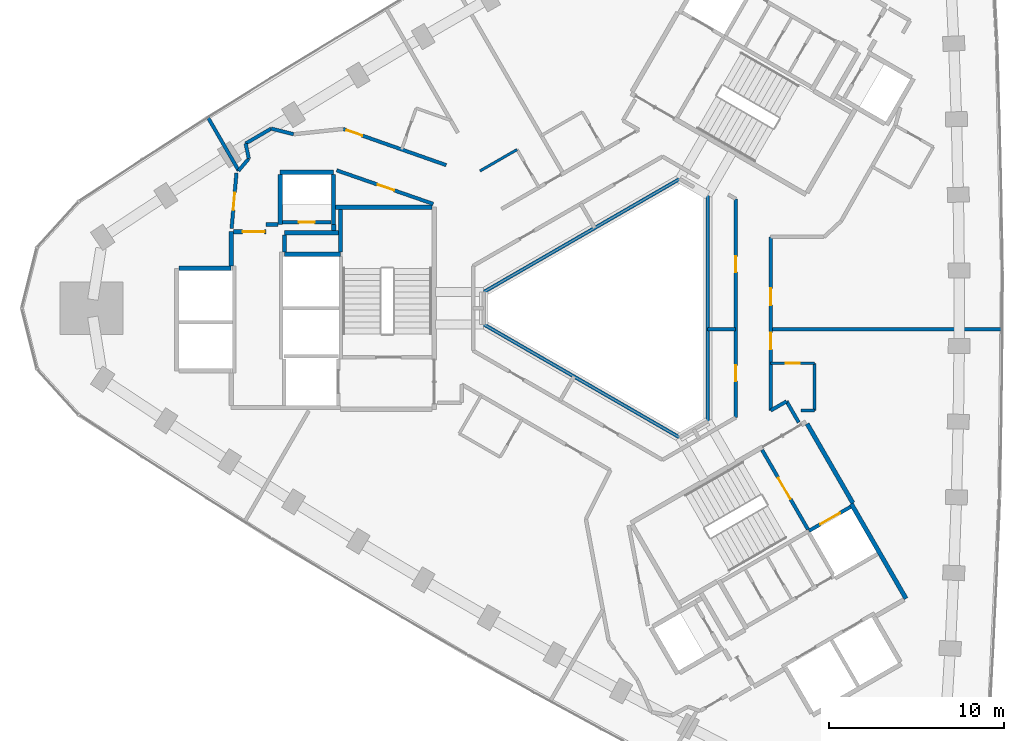
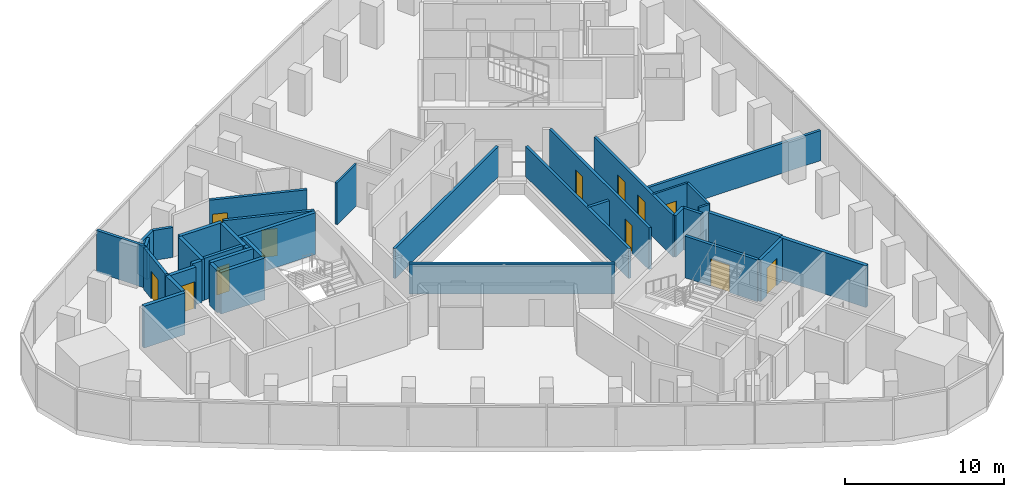
# One storey, part 9 of 12: 39 walls, 12 doors, 12 openings.
"""IFC4 building model written with IfcOpenShell, lengths in metres."""

from ifc_helpers import new_model, si_unit, direction, frame, frame_2d, origin, place, context, subcontext, project, spatial, rectangle, extrude, material, layer, layer_set, type_object, element, fill, save


model = new_model("IFC4")

# Units and contexts
model_context = context("Model", 3, precision=1e-05, world=origin(), true_north=direction((0.0, 1.0)))
body_context = subcontext(model_context, "Body", "Model", "MODEL_VIEW")
ifc_project = project(units=[si_unit("LENGTHUNIT", "METRE"), si_unit("AREAUNIT", "SQUARE_METRE"), si_unit("VOLUMEUNIT", "CUBIC_METRE"), si_unit("PLANEANGLEUNIT", "RADIAN"), si_unit("MASSUNIT", "GRAM", prefix="KILO")], contexts=[model_context])

# Site, building, storey
site_placement = place(None, origin())
site = spatial("IfcSite", under=ifc_project, at=site_placement, CompositionType="ELEMENT")
building_placement = place(site_placement, origin())
building = spatial("IfcBuilding", under=site, at=building_placement, Name="Tamra Quay Hotel Tower", CompositionType="ELEMENT")
storey_placement = place(building_placement, frame((0.0, 0.0, 154.0)))
storey = spatial("IfcBuildingStorey", under=building, at=storey_placement, Name="L38", CompositionType="ELEMENT", Elevation=154.0)

# Wall, opening, door
ifc_material_1 = material(Name="Concrete M70", Category="concrete")
ifc_layer_1 = layer(ifc_material_1, 0.199951171875)
ifc_layer_set_1 = layer_set([ifc_layer_1], Name="Concrete M70 core wall 200")
wall_type_1 = type_object("IfcWallType", Name="Concrete M70 core wall 200", PredefinedType="SHEAR", material=ifc_layer_set_1)
wall_1_placement = place(storey_placement, frame((-19.51123046875, 4.91015625, 0.0), z_axis=(0.0, 0.0, 1.0), x_axis=(1.0, 0.0, 0.0)))
wall_1 = element("IfcWall", 1, at=wall_1_placement, inside=storey, type_object=wall_type_1, Name="CW2", PredefinedType="SHEAR", context=body_context, shape_type="SweptSolid", body=[
    extrude(rectangle(XDim=2.7978515625, YDim=0.199951171875, at=frame_2d((1.39892578125, 0.0))), origin(), (0.0, 0.0, 1.0), 3.199951171875),
])
opening_1_placement = place(wall_1_placement, frame((0.948974609375, 0.0, 0.0)))
opening_1 = element("IfcOpeningElement", 2, at=opening_1_placement, cuts=wall_1, Name="Opening D1", PredefinedType="OPENING", context=body_context, shape_type="SweptSolid", body=[
    extrude(rectangle(XDim=0.89990234375, YDim=2.10009765625, at=frame_2d((0.449951171875, 1.050048828125))), frame((0.0, 0.10986328125, 0.0), z_axis=(0.0, -1.0, 0.0), x_axis=(1.0, 0.0, 0.0)), (0.0, 0.0, 1.0), 0.219970703125),
])
ifc_material_2 = material(Name="Core door D1 900x2100 LH")
door_type_1 = type_object("IfcDoorType", Name="Core door D1 900x2100 LH", OperationType="NOTDEFINED", PredefinedType="DOOR", material=ifc_material_2)
door_1_placement = place(opening_1_placement, origin())
door_1 = element("IfcDoor", 3, at=door_1_placement, inside=storey, type_object=door_type_1, Name="D1", OperationType="SINGLE_SWING_LEFT", OverallHeight=2.10009765625, OverallWidth=0.89990234375, PredefinedType="DOOR", context=body_context, shape_type="SweptSolid", body=[
    extrude(rectangle(XDim=0.89990234375, YDim=2.10009765625, at=frame_2d((0.449951171875, 1.050048828125))), frame((0.0, 0.02490234375, 0.0), z_axis=(0.0, -1.0, 0.0), x_axis=(1.0, 0.0, 0.0)), (0.0, 0.0, 1.0), 0.050048828125),
])
fill(opening_1, door_1)

wall_2_placement = place(storey_placement, frame((7.906494140625, -8.094482421875, 0.0), z_axis=(0.0, 0.0, 1.0), x_axis=(0.500024287448, -0.866011380966, 0.0)))
wall_2 = element("IfcWall", 4, at=wall_2_placement, inside=storey, type_object=wall_type_1, Name="CW2", PredefinedType="SHEAR", context=body_context, shape_type="SweptSolid", body=[
    extrude(rectangle(XDim=5.251220703125, YDim=0.199951171875, at=frame_2d((2.62548828125, 0.0))), origin(), (0.0, 0.0, 1.0), 3.199951171875),
])
opening_2_placement = place(wall_2_placement, frame((1.84912109375, 0.0, 0.0)))
opening_2 = element("IfcOpeningElement", 5, at=opening_2_placement, cuts=wall_2, Name="Opening FD2", PredefinedType="OPENING", context=body_context, shape_type="SweptSolid", body=[
    extrude(rectangle(XDim=1.39990234375, YDim=2.10009765625, at=frame_2d((0.699951171875, 1.050048828125))), frame((0.0, 0.10986328125, 0.0), z_axis=(0.0, -1.0, 0.0), x_axis=(1.0, 0.0, 0.0)), (0.0, 0.0, 1.0), 0.219970703125),
])
ifc_material_3 = material(Name="Core door FD2 1400x2100 LH")
door_type_2 = type_object("IfcDoorType", Name="Core door FD2 1400x2100 LH", OperationType="NOTDEFINED", PredefinedType="DOOR", material=ifc_material_3)
door_2_placement = place(opening_2_placement, origin())
door_2 = element("IfcDoor", 6, at=door_2_placement, inside=storey, type_object=door_type_2, Name="FD2", OperationType="SINGLE_SWING_LEFT", OverallHeight=2.10009765625, OverallWidth=1.39990234375, PredefinedType="DOOR", context=body_context, shape_type="SweptSolid", body=[
    extrude(rectangle(XDim=1.39990234375, YDim=2.10009765625, at=frame_2d((0.699951171875, 1.050048828125))), frame((0.0, 0.02490234375, 0.0), z_axis=(0.0, -1.0, 0.0), x_axis=(1.0, 0.0, 0.0)), (0.0, 0.0, 1.0), 0.050048828125),
])
fill(opening_2, door_2)

wall_3_placement = place(storey_placement, frame((10.587158203125, -12.72314453125, 0.0), z_axis=(0.0, 0.0, 1.0), x_axis=(0.866037306777, 0.499979382845, 0.0)))
wall_3 = element("IfcWall", 7, at=wall_3_placement, inside=storey, type_object=wall_type_1, Name="CW2", PredefinedType="SHEAR", context=body_context, shape_type="SweptSolid", body=[
    extrude(rectangle(XDim=2.74169921875, YDim=0.199951171875, at=frame_2d((1.370849609375, 0.0))), origin(), (0.0, 0.0, 1.0), 3.199951171875),
])
opening_3_placement = place(wall_3_placement, frame((0.742919921875, 0.0, 0.0)))
opening_3 = element("IfcOpeningElement", 8, at=opening_3_placement, cuts=wall_3, Name="Opening LD", PredefinedType="OPENING", context=body_context, shape_type="SweptSolid", body=[
    extrude(rectangle(XDim=1.300048828125, YDim=2.10009765625, at=frame_2d((0.64990234375, 1.050048828125))), frame((0.0, 0.10986328125, 0.0), z_axis=(0.0, -1.0, 0.0), x_axis=(1.0, 0.0, 0.0)), (0.0, 0.0, 1.0), 0.219970703125),
])
ifc_material_4 = material(Name="Landing door LD 1300 sliding to left")
door_type_3 = type_object("IfcDoorType", Name="Landing door LD 1300 sliding to left", OperationType="NOTDEFINED", PredefinedType="DOOR", material=ifc_material_4)
door_3_placement = place(opening_3_placement, origin())
door_3 = element("IfcDoor", 9, at=door_3_placement, inside=storey, type_object=door_type_3, Name="LD", OperationType="SLIDING_TO_LEFT", OverallHeight=2.10009765625, OverallWidth=1.300048828125, PredefinedType="DOOR", context=body_context, shape_type="SweptSolid", body=[
    extrude(rectangle(XDim=1.300048828125, YDim=2.10009765625, at=frame_2d((0.64990234375, 1.050048828125))), frame((0.0, 0.02490234375, 0.0), z_axis=(0.0, -1.0, 0.0), x_axis=(1.0, 0.0, 0.0)), (0.0, 0.0, 1.0), 0.050048828125),
])
fill(opening_3, door_3)

# Walls
ifc_layer_2 = layer(ifc_material_1, 0.25)
ifc_layer_set_2 = layer_set([ifc_layer_2], Name="Concrete M70 core wall 250")
wall_type_2 = type_object("IfcWallType", Name="Concrete M70 core wall 250", PredefinedType="SHEAR", material=ifc_layer_set_2)
wall_4_placement = place(storey_placement, frame((-16.47216796875, 5.77490234375, 0.0), z_axis=(0.0, 0.0, 1.0), x_axis=(1.0, 0.0, 0.0)))
element("IfcWall", 10, at=wall_4_placement, inside=storey, type_object=wall_type_2, Name="CW1", PredefinedType="SHEAR", context=body_context, shape_type="SweptSolid", body=[
    extrude(rectangle(XDim=5.509521484375, YDim=0.25, at=frame_2d((2.7548828125, 0.0))), origin(), (0.0, 0.0, 1.0), 3.199951171875),
])
wall_5_placement = place(storey_placement, frame((-19.38720703125, 3.074951171875, 0.0), z_axis=(0.0, 0.0, 1.0), x_axis=(1.0, 0.0, 0.0)))
element("IfcWall", 11, at=wall_5_placement, inside=storey, type_object=wall_type_2, Name="CW1", PredefinedType="SHEAR", context=body_context, shape_type="SweptSolid", body=[
    extrude(rectangle(XDim=3.199951171875, YDim=0.25, at=frame_2d((1.60009765625, 0.0))), origin(), (0.0, 0.0, 1.0), 3.199951171875),
])
wall_6_placement = place(storey_placement, frame((-25.411865234375, 2.27490234375, 0.0), z_axis=(0.0, 0.0, 1.0), x_axis=(1.0, 0.0, 0.0)))
element("IfcWall", 12, at=wall_6_placement, inside=storey, type_object=wall_type_2, Name="CW1", PredefinedType="SHEAR", context=body_context, shape_type="SweptSolid", body=[
    extrude(rectangle(XDim=2.974609375, YDim=0.25, at=frame_2d((1.4873046875, 0.0))), origin(), (0.0, 0.0, 1.0), 3.199951171875),
])
wall_7_placement = place(storey_placement, frame((-19.63720703125, 7.77490234375, 0.0), z_axis=(0.0, 0.0, 1.0), x_axis=(1.0, 0.0, 0.0)))
element("IfcWall", 13, at=wall_7_placement, inside=storey, type_object=wall_type_2, Name="CW1", PredefinedType="SHEAR", context=body_context, shape_type="SweptSolid", body=[
    extrude(rectangle(XDim=3.0498046875, YDim=0.25, at=frame_2d((1.52490234375, 0.0))), origin(), (0.0, 0.0, 1.0), 3.199951171875),
])
for number, where, z_axis, x_axis, name in (
    (14, (-16.58740234375, 7.649658203125, 0.0), (0.0, 0.0, 1.0), (0.0, -1.0, 0.0), "CW1"),
    (15, (-19.63720703125, 4.784912109375, 0.0), (0.0, 0.0, 1.0), (0.0, 1.0, 0.0), "CW1"),
):
    element("IfcWall", number, at=place(storey_placement, frame(where, z_axis=z_axis, x_axis=x_axis)), inside=storey, type_object=wall_type_2, Name=name, PredefinedType="SHEAR", context=body_context, shape_type="SweptSolid", body=[
        extrude(rectangle(XDim=2.86474609375, YDim=0.25, at=frame_2d((1.432373046875, 0.0))), origin(), (0.0, 0.0, 1.0), 3.199951171875),
    ])
wall_8_placement = place(storey_placement, frame((-16.30224609375, 4.31494140625, 0.0), z_axis=(0.0, 0.0, 1.0), x_axis=(-1.0, 0.0, 0.0)))
element("IfcWall", 16, at=wall_8_placement, inside=storey, type_object=wall_type_2, Name="CW1", PredefinedType="SHEAR", context=body_context, shape_type="SweptSolid", body=[
    extrude(rectangle(XDim=3.0849609375, YDim=0.25, at=frame_2d((1.54248046875, 0.0))), origin(), (0.0, 0.0, 1.0), 3.199951171875),
])
wall_9_placement = place(storey_placement, frame((-16.187255859375, 3.200439453125, 0.0), z_axis=(0.0, 0.0, 1.0), x_axis=(0.0, 1.0, 0.0)))
element("IfcWall", 17, at=wall_9_placement, inside=storey, type_object=wall_type_2, Name="CW1", PredefinedType="SHEAR", context=body_context, shape_type="SweptSolid", body=[
    extrude(rectangle(XDim=2.44921875, YDim=0.25, at=frame_2d((1.224609375, 0.0))), origin(), (0.0, 0.0, 1.0), 3.199951171875),
])
wall_10_placement = place(storey_placement, frame((-22.437255859375, 2.400390625, 0.0), z_axis=(0.0, 0.0, 1.0), x_axis=(0.0, 1.0, 0.0)))
element("IfcWall", 18, at=wall_10_placement, inside=storey, type_object=wall_type_2, Name="CW1", PredefinedType="SHEAR", context=body_context, shape_type="SweptSolid", body=[
    extrude(rectangle(XDim=1.974609375, YDim=0.25, at=frame_2d((0.9873046875, 0.0))), origin(), (0.0, 0.0, 1.0), 3.199951171875),
])

# Wall, opening, door
wall_11_placement = place(storey_placement, frame((-22.311767578125, 4.375, 0.0), z_axis=(0.0, 0.0, 1.0), x_axis=(1.0, 0.0, 0.0)))
wall_11 = element("IfcWall", 19, at=wall_11_placement, inside=storey, type_object=wall_type_2, Name="CW1", PredefinedType="SHEAR", context=body_context, shape_type="SweptSolid", body=[
    extrude(rectangle(XDim=1.864501953125, YDim=0.25, at=frame_2d((0.93212890625, 0.0))), origin(), (0.0, 0.0, 1.0), 3.199951171875),
])
opening_4_placement = place(wall_11_placement, frame((0.53466796875, 0.0, 0.0)))
opening_4 = element("IfcOpeningElement", 20, at=opening_4_placement, cuts=wall_11, Name="Opening FD3", PredefinedType="OPENING", context=body_context, shape_type="SweptSolid", body=[
    extrude(rectangle(XDim=1.25, YDim=2.10009765625, at=frame_2d((0.625, 1.050048828125))), frame((0.0, 0.135009765625, 0.0), z_axis=(0.0, -1.0, 0.0), x_axis=(1.0, 0.0, 0.0)), (0.0, 0.0, 1.0), 0.27001953125),
])
ifc_material_5 = material(Name="Core door FD3 1250x2100 LH")
door_type_4 = type_object("IfcDoorType", Name="Core door FD3 1250x2100 LH", OperationType="NOTDEFINED", PredefinedType="DOOR", material=ifc_material_5)
door_4_placement = place(opening_4_placement, origin())
door_4 = element("IfcDoor", 21, at=door_4_placement, inside=storey, type_object=door_type_4, Name="FD3", OperationType="SINGLE_SWING_LEFT", OverallHeight=2.10009765625, OverallWidth=1.25, PredefinedType="DOOR", context=body_context, shape_type="SweptSolid", body=[
    extrude(rectangle(XDim=1.25, YDim=2.10009765625, at=frame_2d((0.625, 1.050048828125))), frame((0.0, 0.02490234375, 0.0), z_axis=(0.0, -1.0, 0.0), x_axis=(1.0, 0.0, 0.0)), (0.0, 0.0, 1.0), 0.050048828125),
])
fill(opening_4, door_4)

# Walls
wall_12_placement = place(storey_placement, frame((-19.38720703125, 4.189697265625, 0.0), z_axis=(0.0, 0.0, 1.0), x_axis=(0.0, -1.0, 0.0)))
element("IfcWall", 22, at=wall_12_placement, inside=storey, type_object=wall_type_2, Name="CW1", PredefinedType="SHEAR", context=body_context, shape_type="SweptSolid", body=[
    extrude(rectangle(XDim=0.9892578125, YDim=0.25, at=frame_2d((0.49462890625, 0.0))), origin(), (0.0, 0.0, 1.0), 3.199951171875),
])
wall_13_placement = place(storey_placement, frame((-20.447265625, 4.784912109375, 0.0), z_axis=(0.0, 0.0, 1.0), x_axis=(1.0, 0.0, 0.0)))
element("IfcWall", 23, at=wall_13_placement, inside=storey, type_object=wall_type_2, Name="CW1", PredefinedType="SHEAR", context=body_context, shape_type="SweptSolid", body=[
    extrude(rectangle(XDim=0.6845703125, YDim=0.25, at=frame_2d((0.34228515625, 0.0))), origin(), (0.0, 0.0, 1.0), 3.199951171875),
])
wall_14_placement = place(storey_placement, frame((-16.577392578125, 4.784912109375, 0.0), z_axis=(0.0, 0.0, 1.0), x_axis=(0.0, -1.0, 0.0)))
element("IfcWall", 24, at=wall_14_placement, inside=storey, type_object=wall_type_2, Name="CW1", PredefinedType="SHEAR", context=body_context, shape_type="SweptSolid", body=[
    extrude(rectangle(XDim=0.344482421875, YDim=0.25, at=frame_2d((0.17236328125, 0.0))), origin(), (0.0, 0.0, 1.0), 3.199951171875),
])
wall_15_placement = place(storey_placement, frame((13.00830078125, -11.18115234375, 0.0), z_axis=(0.0, 0.0, 1.0), x_axis=(0.500004234368, -0.866022959057, 0.0)))
element("IfcWall", 25, at=wall_15_placement, inside=storey, type_object=wall_type_2, Name="CW1", PredefinedType="SHEAR", context=body_context, shape_type="SweptSolid", body=[
    extrude(rectangle(XDim=6.25, YDim=0.25, at=frame_2d((3.125, 0.0))), origin(), (0.0, 0.0, 1.0), 3.199951171875),
])
wall_16_placement = place(storey_placement, frame((10.482666015625, -6.6064453125, 0.0), z_axis=(0.0, 0.0, 1.0), x_axis=(0.49999885962, -0.866026062182, 0.0)))
element("IfcWall", 26, at=wall_16_placement, inside=storey, type_object=wall_type_2, Name="CW1", PredefinedType="SHEAR", context=body_context, shape_type="SweptSolid", body=[
    extrude(rectangle(XDim=5.224609375, YDim=0.25, at=frame_2d((2.6123046875, 0.0))), origin(), (0.0, 0.0, 1.0), 3.199951171875),
])

# Wall, opening, door
ifc_material_6 = material(Name="Partition corridor wall")
ifc_layer_3 = layer(ifc_material_6, 0.199951171875)
ifc_layer_set_3 = layer_set([ifc_layer_3], Name="Partition corridor wall")
wall_type_3 = type_object("IfcWallType", Name="Partition corridor wall", PredefinedType="PARTITIONING", material=ifc_layer_set_3)
wall_17_placement = place(storey_placement, frame((-22.40673828125, 4.56005859375, 0.0), z_axis=(0.0, 0.0, 1.0), x_axis=(0.086898645684, 0.996217157741, 0.0)))
wall_17 = element("IfcWall", 27, at=wall_17_placement, inside=storey, type_object=wall_type_3, Name="W-C", PredefinedType="PARTITIONING", context=body_context, shape_type="SweptSolid", body=[
    extrude(rectangle(XDim=3.171875, YDim=0.199951171875, at=frame_2d((1.5859375, 0.0))), origin(), (0.0, 0.0, 1.0), 3.199951171875),
])
opening_5_placement = place(wall_17_placement, frame((1.055908203125, 0.0, 0.0)))
opening_5 = element("IfcOpeningElement", 28, at=opening_5_placement, cuts=wall_17, Name="Opening L38-D012", PredefinedType="OPENING", context=body_context, shape_type="SweptSolid", body=[
    extrude(rectangle(XDim=1.0, YDim=2.10009765625, at=frame_2d((0.5, 1.050048828125))), frame((0.0, 0.10986328125, 0.0), z_axis=(0.0, -1.0, 0.0), x_axis=(1.0, 0.0, 0.0)), (0.0, 0.0, 1.0), 0.219970703125),
])
ifc_material_7 = material(Name="Door guest room 1000x2100")
door_type_5 = type_object("IfcDoorType", Name="Door guest room 1000x2100", OperationType="NOTDEFINED", PredefinedType="DOOR", material=ifc_material_7)
door_5_placement = place(opening_5_placement, origin())
door_5 = element("IfcDoor", 29, at=door_5_placement, inside=storey, type_object=door_type_5, Name="L38-D012", OperationType="SINGLE_SWING_LEFT", OverallHeight=2.10009765625, OverallWidth=1.0, PredefinedType="DOOR", context=body_context, shape_type="SweptSolid", body=[
    extrude(rectangle(XDim=1.0, YDim=2.10009765625, at=frame_2d((0.5, 1.050048828125))), frame((0.0, 0.02490234375, 0.0), z_axis=(0.0, -1.0, 0.0), x_axis=(1.0, 0.0, 0.0)), (0.0, 0.0, 1.0), 0.050048828125),
])
fill(opening_5, door_5)

# Walls
wall_18_placement = place(storey_placement, frame((-22.012939453125, 7.85791015625, 0.0), z_axis=(0.0, 0.0, 1.0), x_axis=(0.646315152402, 0.763070588986, 0.0)))
element("IfcWall", 30, at=wall_18_placement, inside=storey, type_object=wall_type_3, Name="W-C", PredefinedType="PARTITIONING", context=body_context, shape_type="SweptSolid", body=[
    extrude(rectangle(XDim=0.90966796875, YDim=0.199951171875, at=frame_2d((0.454833984375, 0.0))), origin(), (0.0, 0.0, 1.0), 3.199951171875),
])
wall_19_placement = place(storey_placement, frame((-21.60498046875, 9.412109375, 0.0), z_axis=(0.0, 0.0, 1.0), x_axis=(0.204764111512, -0.978811349871, 0.0)))
element("IfcWall", 31, at=wall_19_placement, inside=storey, type_object=wall_type_3, Name="W-C", PredefinedType="PARTITIONING", context=body_context, shape_type="SweptSolid", body=[
    extrude(rectangle(XDim=0.878662109375, YDim=0.199951171875, at=frame_2d((0.439453125, 0.0))), origin(), (0.0, 0.0, 1.0), 2.300048828125),
])
wall_20_placement = place(storey_placement, frame((-21.60400390625, 9.4130859375, 0.0), z_axis=(0.0, 0.0, 1.0), x_axis=(0.863736988548, 0.503942868402, 0.0)))
element("IfcWall", 32, at=wall_20_placement, inside=storey, type_object=wall_type_3, Name="W-C", PredefinedType="PARTITIONING", context=body_context, shape_type="SweptSolid", body=[
    extrude(rectangle(XDim=1.690185546875, YDim=0.199951171875, at=frame_2d((0.84521484375, 0.0))), origin(), (0.0, 0.0, 1.0), 2.300048828125),
])
wall_21_placement = place(storey_placement, frame((-20.14306640625, 10.26611328125, 0.0), z_axis=(0.0, 0.0, 1.0), x_axis=(0.969121308325, -0.246584447505, 0.0)))
element("IfcWall", 33, at=wall_21_placement, inside=storey, type_object=wall_type_3, Name="W-C", PredefinedType="PARTITIONING", context=body_context, shape_type="SweptSolid", body=[
    extrude(rectangle(XDim=1.31884765625, YDim=0.199951171875, at=frame_2d((0.659423828125, 0.0))), origin(), (0.0, 0.0, 1.0), 2.300048828125),
])

# Wall, opening, door
wall_22_placement = place(storey_placement, frame((-16.40234375, 7.879150390625, 0.0), z_axis=(0.0, 0.0, 1.0), x_axis=(0.94449961557, -0.328512520596, 0.0)))
wall_22 = element("IfcWall", 34, at=wall_22_placement, inside=storey, type_object=wall_type_3, Name="W-C", PredefinedType="PARTITIONING", context=body_context, shape_type="SweptSolid", body=[
    extrude(rectangle(XDim=5.842041015625, YDim=0.199951171875, at=frame_2d((2.9208984375, 0.0))), origin(), (0.0, 0.0, 1.0), 3.199951171875),
])
opening_6_placement = place(wall_22_placement, frame((2.47900390625, 0.0, 0.0)))
opening_6 = element("IfcOpeningElement", 35, at=opening_6_placement, cuts=wall_22, Name="Opening L38-D009", PredefinedType="OPENING", context=body_context, shape_type="SweptSolid", body=[
    extrude(rectangle(XDim=1.0, YDim=2.10009765625, at=frame_2d((0.5, 1.050048828125))), frame((0.0, 0.10986328125, 0.0), z_axis=(0.0, -1.0, 0.0), x_axis=(1.0, 0.0, 0.0)), (0.0, 0.0, 1.0), 0.219970703125),
])
door_6_placement = place(opening_6_placement, frame((1.0, 0.0, 0.0), z_axis=(0.0, 0.0, 1.0), x_axis=(-1.0, 0.0, 0.0)))
door_6 = element("IfcDoor", 36, at=door_6_placement, inside=storey, type_object=door_type_5, Name="L38-D009", OperationType="SINGLE_SWING_LEFT", OverallHeight=2.10009765625, OverallWidth=1.0, PredefinedType="DOOR", context=body_context, shape_type="SweptSolid", body=[
    extrude(rectangle(XDim=1.0, YDim=2.10009765625, at=frame_2d((0.5, 1.050048828125))), frame((0.0, 0.02490234375, 0.0), z_axis=(0.0, -1.0, 0.0), x_axis=(1.0, 0.0, 0.0)), (0.0, 0.0, 1.0), 0.050048828125),
])
fill(opening_6, door_6)

wall_23_placement = place(storey_placement, frame((-16.02587890625, 10.24609375, 0.0), z_axis=(0.0, 0.0, 1.0), x_axis=(0.943337348352, -0.331835271187, 0.0)))
wall_23 = element("IfcWall", 37, at=wall_23_placement, inside=storey, type_object=wall_type_3, Name="W-C", PredefinedType="PARTITIONING", context=body_context, shape_type="SweptSolid", body=[
    extrude(rectangle(XDim=6.23828125, YDim=0.199951171875, at=frame_2d((3.119140625, 0.0))), origin(), (0.0, 0.0, 1.0), 3.199951171875),
])
opening_7_placement = place(wall_23_placement, frame((0.199951171875, 0.0, 0.0)))
opening_7 = element("IfcOpeningElement", 38, at=opening_7_placement, cuts=wall_23, Name="Opening L38-D010", PredefinedType="OPENING", context=body_context, shape_type="SweptSolid", body=[
    extrude(rectangle(XDim=0.949951171875, YDim=2.10009765625, at=frame_2d((0.47509765625, 1.050048828125))), frame((0.0, 0.10986328125, 0.0), z_axis=(0.0, -1.0, 0.0), x_axis=(1.0, 0.0, 0.0)), (0.0, 0.0, 1.0), 0.219970703125),
])
ifc_material_8 = material(Name="Door guest room 950x2100")
door_type_6 = type_object("IfcDoorType", Name="Door guest room 950x2100", OperationType="NOTDEFINED", PredefinedType="DOOR", material=ifc_material_8)
door_7_placement = place(opening_7_placement, origin())
door_7 = element("IfcDoor", 39, at=door_7_placement, inside=storey, type_object=door_type_6, Name="L38-D010", OperationType="SINGLE_SWING_LEFT", OverallHeight=2.10009765625, OverallWidth=0.949951171875, PredefinedType="DOOR", context=body_context, shape_type="SweptSolid", body=[
    extrude(rectangle(XDim=0.949951171875, YDim=2.10009765625, at=frame_2d((0.47509765625, 1.050048828125))), frame((0.0, 0.02490234375, 0.0), z_axis=(0.0, -1.0, 0.0), x_axis=(1.0, 0.0, 0.0)), (0.0, 0.0, 1.0), 0.050048828125),
])
fill(opening_7, door_7)

# Wall, openings, doors
wall_24_placement = place(storey_placement, frame((6.39990234375, -6.25, 0.0), z_axis=(0.0, 0.0, 1.0), x_axis=(0.0, 1.0, 0.0)))
wall_24 = element("IfcWall", 40, at=wall_24_placement, inside=storey, type_object=wall_type_3, Name="W-C", PredefinedType="PARTITIONING", context=body_context, shape_type="SweptSolid", body=[
    extrude(rectangle(XDim=12.5, YDim=0.199951171875, at=frame_2d((6.25, 0.0))), origin(), (0.0, 0.0, 1.0), 3.199951171875),
])
opening_8_placement = place(wall_24_placement, frame((2.077392578125, 0.0, 0.0)))
opening_8 = element("IfcOpeningElement", 41, at=opening_8_placement, cuts=wall_24, Name="Opening L38-D018", PredefinedType="OPENING", context=body_context, shape_type="SweptSolid", body=[
    extrude(rectangle(XDim=0.89990234375, YDim=2.10009765625, at=frame_2d((0.449951171875, 1.050048828125))), frame((0.0, 0.10986328125, 0.0), z_axis=(0.0, -1.0, 0.0), x_axis=(1.0, 0.0, 0.0)), (0.0, 0.0, 1.0), 0.219970703125),
])
opening_9_placement = place(wall_24_placement, frame((8.3154296875, 0.0, 0.0)))
opening_9 = element("IfcOpeningElement", 42, at=opening_9_placement, cuts=wall_24, Name="Opening L38-D019", PredefinedType="OPENING", context=body_context, shape_type="SweptSolid", body=[
    extrude(rectangle(XDim=0.89990234375, YDim=2.10009765625, at=frame_2d((0.449951171875, 1.050048828125))), frame((0.0, 0.10986328125, 0.0), z_axis=(0.0, -1.0, 0.0), x_axis=(1.0, 0.0, 0.0)), (0.0, 0.0, 1.0), 0.219970703125),
])
ifc_material_9 = material(Name="Door service room 900x2100")
door_type_7 = type_object("IfcDoorType", Name="Door service room 900x2100", OperationType="NOTDEFINED", PredefinedType="DOOR", material=ifc_material_9)
door_8_placement = place(opening_8_placement, origin())
door_8 = element("IfcDoor", 43, at=door_8_placement, inside=storey, type_object=door_type_7, Name="L38-D018", OperationType="SINGLE_SWING_LEFT", OverallHeight=2.10009765625, OverallWidth=0.89990234375, PredefinedType="DOOR", context=body_context, shape_type="SweptSolid", body=[
    extrude(rectangle(XDim=0.89990234375, YDim=2.10009765625, at=frame_2d((0.449951171875, 1.050048828125))), frame((0.0, 0.02490234375, 0.0), z_axis=(0.0, -1.0, 0.0), x_axis=(1.0, 0.0, 0.0)), (0.0, 0.0, 1.0), 0.050048828125),
])
fill(opening_8, door_8)
door_9_placement = place(opening_9_placement, origin())
door_9 = element("IfcDoor", 44, at=door_9_placement, inside=storey, type_object=door_type_7, Name="L38-D019", OperationType="SINGLE_SWING_LEFT", OverallHeight=2.10009765625, OverallWidth=0.89990234375, PredefinedType="DOOR", context=body_context, shape_type="SweptSolid", body=[
    extrude(rectangle(XDim=0.89990234375, YDim=2.10009765625, at=frame_2d((0.449951171875, 1.050048828125))), frame((0.0, 0.02490234375, 0.0), z_axis=(0.0, -1.0, 0.0), x_axis=(1.0, 0.0, 0.0)), (0.0, 0.0, 1.0), 0.050048828125),
])
fill(opening_9, door_9)

wall_25_placement = place(storey_placement, frame((8.39990234375, -5.844970703125, 0.0), z_axis=(0.0, 0.0, 1.0), x_axis=(0.0, 1.0, 0.0)))
wall_25 = element("IfcWall", 45, at=wall_25_placement, inside=storey, type_object=wall_type_3, Name="W-C", PredefinedType="PARTITIONING", context=body_context, shape_type="SweptSolid", body=[
    extrude(rectangle(XDim=9.9228515625, YDim=0.199951171875, at=frame_2d((4.96142578125, 0.0))), origin(), (0.0, 0.0, 1.0), 3.199951171875),
])
opening_10_placement = place(wall_25_placement, frame((3.5, 0.0, 0.0)))
opening_10 = element("IfcOpeningElement", 46, at=opening_10_placement, cuts=wall_25, Name="Opening L38-D001", PredefinedType="OPENING", context=body_context, shape_type="SweptSolid", body=[
    extrude(rectangle(XDim=0.949951171875, YDim=2.10009765625, at=frame_2d((0.47509765625, 1.050048828125))), frame((0.0, 0.10986328125, 0.0), z_axis=(0.0, -1.0, 0.0), x_axis=(1.0, 0.0, 0.0)), (0.0, 0.0, 1.0), 0.219970703125),
])
opening_11_placement = place(wall_25_placement, frame((6.02294921875, 0.0, 0.0)))
opening_11 = element("IfcOpeningElement", 47, at=opening_11_placement, cuts=wall_25, Name="Opening L38-D003", PredefinedType="OPENING", context=body_context, shape_type="SweptSolid", body=[
    extrude(rectangle(XDim=0.949951171875, YDim=2.10009765625, at=frame_2d((0.47509765625, 1.050048828125))), frame((0.0, 0.10986328125, 0.0), z_axis=(0.0, -1.0, 0.0), x_axis=(1.0, 0.0, 0.0)), (0.0, 0.0, 1.0), 0.219970703125),
])
door_10_placement = place(opening_10_placement, frame((0.949951171875, 0.0, 0.0), z_axis=(0.0, 0.0, 1.0), x_axis=(-1.0, 0.0, 0.0)))
door_10 = element("IfcDoor", 48, at=door_10_placement, inside=storey, type_object=door_type_6, Name="L38-D001", OperationType="SINGLE_SWING_LEFT", OverallHeight=2.10009765625, OverallWidth=0.949951171875, PredefinedType="DOOR", context=body_context, shape_type="SweptSolid", body=[
    extrude(rectangle(XDim=0.949951171875, YDim=2.10009765625, at=frame_2d((0.47509765625, 1.050048828125))), frame((0.0, 0.02490234375, 0.0), z_axis=(0.0, -1.0, 0.0), x_axis=(1.0, 0.0, 0.0)), (0.0, 0.0, 1.0), 0.050048828125),
])
fill(opening_10, door_10)
door_11_placement = place(opening_11_placement, frame((0.949951171875, 0.0, 0.0), z_axis=(0.0, 0.0, 1.0), x_axis=(-1.0, 0.0, 0.0)))
door_11 = element("IfcDoor", 49, at=door_11_placement, inside=storey, type_object=door_type_6, Name="L38-D003", OperationType="SINGLE_SWING_LEFT", OverallHeight=2.10009765625, OverallWidth=0.949951171875, PredefinedType="DOOR", context=body_context, shape_type="SweptSolid", body=[
    extrude(rectangle(XDim=0.949951171875, YDim=2.10009765625, at=frame_2d((0.47509765625, 1.050048828125))), frame((0.0, 0.02490234375, 0.0), z_axis=(0.0, -1.0, 0.0), x_axis=(1.0, 0.0, 0.0)), (0.0, 0.0, 1.0), 0.050048828125),
])
fill(opening_11, door_11)

# Walls
wall_26_placement = place(storey_placement, frame((8.39990234375, -5.844970703125, 0.0), z_axis=(0.0, 0.0, 1.0), x_axis=(0.866313671633, 0.499500372715, 0.0)))
element("IfcWall", 50, at=wall_26_placement, inside=storey, type_object=wall_type_3, Name="W-C", PredefinedType="PARTITIONING", context=body_context, shape_type="SweptSolid", body=[
    extrude(rectangle(XDim=1.046875, YDim=0.199951171875, at=frame_2d((0.5234375, 0.0))), origin(), (0.0, 0.0, 1.0), 3.199951171875),
])
wall_27_placement = place(storey_placement, frame((9.307373046875, -5.32177734375, 0.0), z_axis=(0.0, 0.0, 1.0), x_axis=(0.499955621637, -0.866051024128, 0.0)))
element("IfcWall", 51, at=wall_27_placement, inside=storey, type_object=wall_type_3, Name="W-C", PredefinedType="PARTITIONING", context=body_context, shape_type="SweptSolid", body=[
    extrude(rectangle(XDim=1.389892578125, YDim=0.199951171875, at=frame_2d((0.69482421875, 0.0))), origin(), (0.0, 0.0, 1.0), 3.199951171875),
])
ifc_material_10 = material(Name="Partition en-suite wall")
ifc_layer_4 = layer(ifc_material_10, 0.14990234375)
ifc_layer_set_4 = layer_set([ifc_layer_4], Name="Partition en-suite wall")
wall_type_4 = type_object("IfcWallType", Name="Partition en-suite wall", PredefinedType="PARTITIONING", material=ifc_layer_set_4)
wall_28_placement = place(storey_placement, frame((-8.21484375, 7.8427734375, 0.0), z_axis=(0.0, 0.0, 1.0), x_axis=(0.865983065851, 0.500073324283, 0.0)))
element("IfcWall", 52, at=wall_28_placement, inside=storey, type_object=wall_type_4, Name="W-E", PredefinedType="PARTITIONING", context=body_context, shape_type="SweptSolid", body=[
    extrude(rectangle(XDim=2.449462890625, YDim=0.14990234375, at=frame_2d((1.224609375, 0.0))), origin(), (0.0, 0.0, 1.0), 3.199951171875),
])

# Wall, opening, door
wall_29_placement = place(storey_placement, frame((8.40087890625, -3.14501953125, 0.0), z_axis=(0.0, 0.0, 1.0), x_axis=(1.0, 0.0, 0.0)))
wall_29 = element("IfcWall", 53, at=wall_29_placement, inside=storey, type_object=wall_type_4, Name="W-E", PredefinedType="PARTITIONING", context=body_context, shape_type="SweptSolid", body=[
    extrude(rectangle(XDim=2.4970703125, YDim=0.14990234375, at=frame_2d((1.24853515625, 0.0))), origin(), (0.0, 0.0, 1.0), 3.199951171875),
])
opening_12_placement = place(wall_29_placement, frame((0.84912109375, 0.0, 0.0)))
opening_12 = element("IfcOpeningElement", 54, at=opening_12_placement, cuts=wall_29, Name="Opening L38-D002", PredefinedType="OPENING", context=body_context, shape_type="SweptSolid", body=[
    extrude(rectangle(XDim=0.800048828125, YDim=2.10009765625, at=frame_2d((0.39990234375, 1.050048828125))), frame((0.0, 0.0849609375, 0.0), z_axis=(0.0, -1.0, 0.0), x_axis=(1.0, 0.0, 0.0)), (0.0, 0.0, 1.0), 0.169921875),
])
ifc_material_11 = material(Name="Door en-suite 800x2100")
door_type_8 = type_object("IfcDoorType", Name="Door en-suite 800x2100", OperationType="NOTDEFINED", PredefinedType="DOOR", material=ifc_material_11)
door_12_placement = place(opening_12_placement, frame((0.800048828125, 0.0, 0.0), z_axis=(0.0, 0.0, 1.0), x_axis=(-1.0, 0.0, 0.0)))
door_12 = element("IfcDoor", 55, at=door_12_placement, inside=storey, type_object=door_type_8, Name="L38-D002", OperationType="SINGLE_SWING_LEFT", OverallHeight=2.10009765625, OverallWidth=0.800048828125, PredefinedType="DOOR", context=body_context, shape_type="SweptSolid", body=[
    extrude(rectangle(XDim=0.800048828125, YDim=2.10009765625, at=frame_2d((0.39990234375, 1.050048828125))), frame((0.0, 0.02490234375, 0.0), z_axis=(0.0, -1.0, 0.0), x_axis=(1.0, 0.0, 0.0)), (0.0, 0.0, 1.0), 0.050048828125),
])
fill(opening_12, door_12)

# Walls
wall_30_placement = place(storey_placement, frame((10.89794921875, -5.844970703125, 0.0), z_axis=(0.0, 0.0, 1.0), x_axis=(-1.0, 0.0, 0.0)))
element("IfcWall", 56, at=wall_30_placement, inside=storey, type_object=wall_type_4, Name="W-E", PredefinedType="PARTITIONING", context=body_context, shape_type="SweptSolid", body=[
    extrude(rectangle(XDim=0.768798828125, YDim=0.14990234375, at=frame_2d((0.38427734375, 0.0))), origin(), (0.0, 0.0, 1.0), 3.199951171875),
])
wall_31_placement = place(storey_placement, frame((10.89990234375, -5.843017578125, 0.0), z_axis=(0.0, 0.0, 1.0), x_axis=(0.0, 1.0, 0.0)))
element("IfcWall", 57, at=wall_31_placement, inside=storey, type_object=wall_type_4, Name="W-E", PredefinedType="PARTITIONING", context=body_context, shape_type="SweptSolid", body=[
    extrude(rectangle(XDim=2.696044921875, YDim=0.14990234375, at=frame_2d((1.34814453125, 0.0))), origin(), (0.0, 0.0, 1.0), 3.199951171875),
])
ifc_material_12 = material(Name="Partition party wall")
ifc_layer_5 = layer(ifc_material_12, 0.199951171875)
ifc_layer_set_5 = layer_set([ifc_layer_5], Name="Partition party wall")
wall_type_5 = type_object("IfcWallType", Name="Partition party wall", PredefinedType="PARTITIONING", material=ifc_layer_set_5)
wall_32_placement = place(storey_placement, frame((-23.757568359375, 10.899658203125, 0.0), z_axis=(0.0, 0.0, 1.0), x_axis=(0.500112665219, -0.865960346718, 0.0)))
element("IfcWall", 58, at=wall_32_placement, inside=storey, type_object=wall_type_5, Name="W-P", PredefinedType="PARTITIONING", context=body_context, shape_type="SweptSolid", body=[
    extrude(rectangle(XDim=3.502197265625, YDim=0.199951171875, at=frame_2d((1.7509765625, 0.0))), origin(), (0.0, 0.0, 1.0), 3.199951171875),
])
for number, where, z_axis, x_axis, name in (
    (59, (-8.00048828125, 0.9248046875, 0.0), (0.0, 0.0, 1.0), (0.866075250037, 0.499913653818, 0.0), "W-P"),
    (60, (-8.0, -0.924072265625, 0.0), (0.0, 0.0, 1.0), (0.866062358179, -0.499935987647, 0.0), "W-P"),
):
    element("IfcWall", number, at=place(storey_placement, frame(where, z_axis=z_axis, x_axis=x_axis)), inside=storey, type_object=wall_type_5, Name=name, PredefinedType="PARTITIONING", context=body_context, shape_type="SweptSolid", body=[
        extrude(rectangle(XDim=12.932373046875, YDim=0.199951171875, at=frame_2d((6.46630859375, 0.0))), origin(), (0.0, 0.0, 1.0), 2.300048828125),
    ])
wall_33_placement = place(storey_placement, frame((4.800048828125, -6.466064453125, 0.0), z_axis=(0.0, 0.0, 1.0), x_axis=(0.0, 1.0, 0.0)))
element("IfcWall", 61, at=wall_33_placement, inside=storey, type_object=wall_type_5, Name="W-P", PredefinedType="PARTITIONING", context=body_context, shape_type="SweptSolid", body=[
    extrude(rectangle(XDim=12.93212890625, YDim=0.199951171875, at=frame_2d((6.466064453125, 0.0))), origin(), (0.0, 0.0, 1.0), 2.300048828125),
])
wall_34_placement = place(storey_placement, frame((4.800048828125, -1.20703125, 0.0), z_axis=(0.0, 0.0, 1.0), x_axis=(1.0, 0.0, 0.0)))
element("IfcWall", 62, at=wall_34_placement, inside=storey, type_object=wall_type_5, Name="W-P", PredefinedType="PARTITIONING", context=body_context, shape_type="SweptSolid", body=[
    extrude(rectangle(XDim=1.599853515625, YDim=0.199951171875, at=frame_2d((0.7998046875, 0.0))), origin(), (0.0, 0.0, 1.0), 2.300048828125),
])
wall_35_placement = place(storey_placement, frame((8.40087890625, -1.20703125, 0.0), z_axis=(0.0, 0.0, 1.0), x_axis=(1.0, 0.0, 0.0)))
element("IfcWall", 63, at=wall_35_placement, inside=storey, type_object=wall_type_5, Name="W-P", PredefinedType="PARTITIONING", context=body_context, shape_type="SweptSolid", body=[
    extrude(rectangle(XDim=13.2255859375, YDim=0.199951171875, at=frame_2d((6.61279296875, 0.0))), origin(), (0.0, 0.0, 1.0), 2.300048828125),
])

save(model, "model.ifc")
